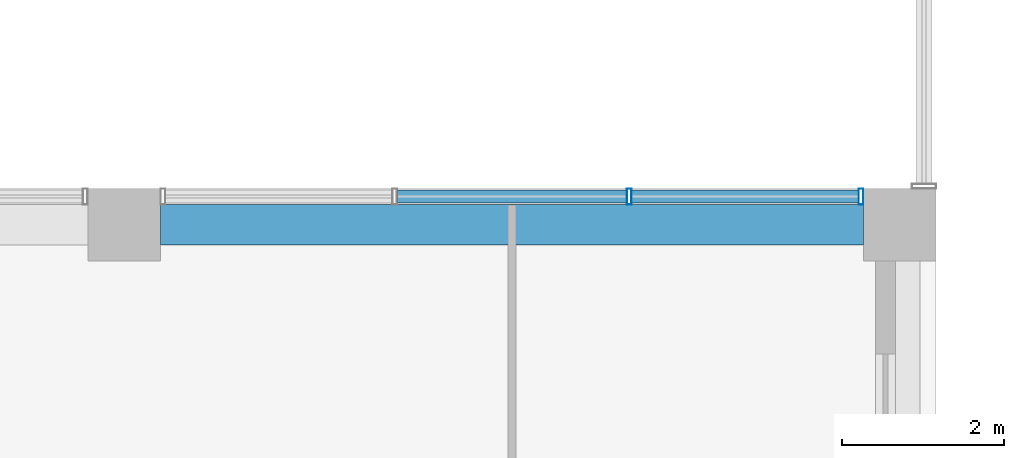
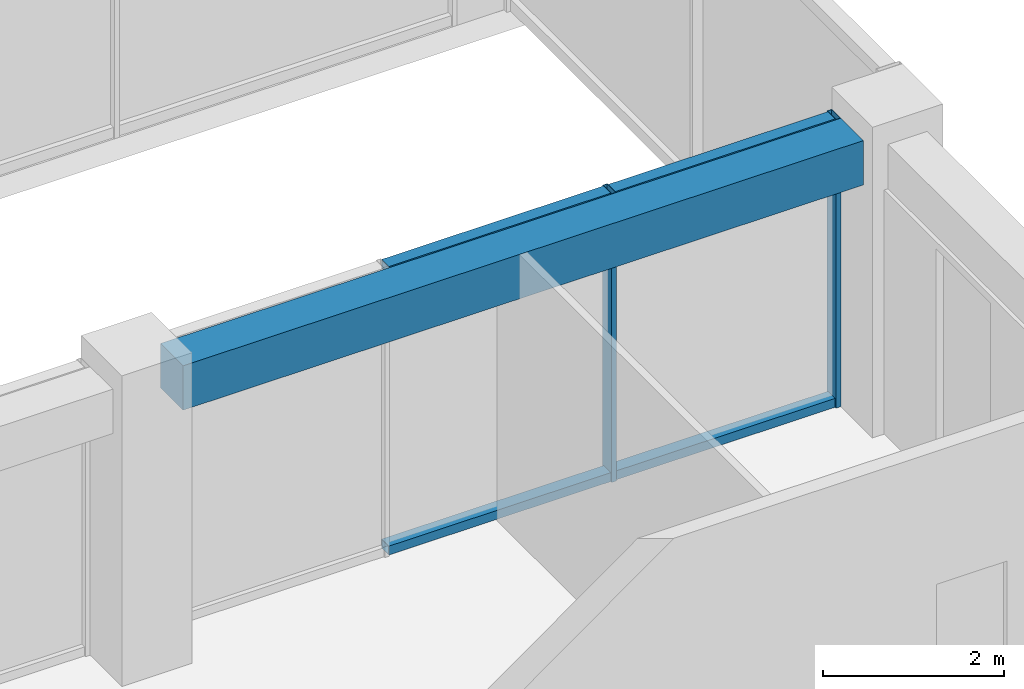
# One storey, part 17 of 36: 6 members, 1 beam, 1 element without a shape of its own.
"""IFC4 building model written with IfcOpenShell, lengths in metres."""

from ifc_helpers import new_model, si_unit, direction, frame, origin, origin_2d, place, context, subcontext, project, spatial, rectangle, hollow_rectangle, extrude, material, layer, layer_set, material_profile, profile_set, type_object, element, aggregate, save


model = new_model("IFC4")

# Units and contexts
model_context = context("Model", 3, precision=1e-05, world=origin(), true_north=direction((0.0, 1.0)))
body_context = subcontext(model_context, "Body", "Model", "MODEL_VIEW")
ifc_project = project(units=[si_unit("LENGTHUNIT", "METRE"), si_unit("AREAUNIT", "SQUARE_METRE"), si_unit("VOLUMEUNIT", "CUBIC_METRE"), si_unit("PLANEANGLEUNIT", "RADIAN"), si_unit("MASSUNIT", "GRAM", prefix="KILO")], contexts=[model_context])

# Site, building, storey
site_placement = place(None, origin())
site = spatial("IfcSite", under=ifc_project, at=site_placement, CompositionType="ELEMENT")
building_placement = place(site_placement, origin())
building = spatial("IfcBuilding", under=site, at=building_placement, Name="Nzadi Deep Aquarium and Research Tower", CompositionType="ELEMENT")
storey_placement = place(building_placement, frame((0.0, 0.0, 44.5)))
storey = spatial("IfcBuildingStorey", under=building, at=storey_placement, Name="L08", CompositionType="ELEMENT", Elevation=44.5)

# Curtain wall, members
ifc_material_1 = material(Name="Aluminium unitised frame", Category="aluminium")
ifc_layer = layer(ifc_material_1, 0.199951171875)
ifc_layer_set = layer_set([ifc_layer], Name="Aluminium unitised frame")
curtain_wall_type = type_object("IfcCurtainWallType", Name="Curtain wall Unitised 200", PredefinedType="NOTDEFINED", material=ifc_layer_set)
curtain_wall_placement = place(storey_placement, origin())
curtain_wall = element("IfcCurtainWall", 1, at=curtain_wall_placement, inside=storey, type_object=curtain_wall_type, Name="Unitised curtain wall blade A north L08", PredefinedType="NOTDEFINED")
ifc_material_2 = material(Name="Aluminium unitised frame", Category="aluminium")
ifc_material_profile_1 = material_profile(ifc_material_2, hollow_rectangle(XDim=0.199951171875, YDim=0.06005859375, WallThickness=0.0048828125, at=origin_2d()))
ifc_profile_set_1 = profile_set([ifc_material_profile_1], Name="Aluminium unitised frame")
member_type_1 = type_object("IfcMemberType", Name="Mullion 60x200 Unitised", PredefinedType="MULLION", material=ifc_profile_set_1)
member_1_placement = place(storey_placement, frame((44.64990234375, 18.75, 0.0), z_axis=(0.0, 0.0, 1.0), x_axis=(0.0, 1.0, 0.0)))
member_1 = element("IfcMember", 2, at=member_1_placement, type_object=member_type_1, Name="CW028 mullion 3", PredefinedType="MULLION", context=body_context, shape_type="SweptSolid", body=[
    extrude(hollow_rectangle(XDim=0.199951171875, YDim=0.06005859375, WallThickness=0.0048828125, at=origin_2d()), origin(), (0.0, 0.0, 1.0), 3.89990234375),
])
member_2_placement = place(storey_placement, frame((47.52001953125, 18.75, 0.0), z_axis=(0.0, 0.0, 1.0), x_axis=(0.0, 1.0, 0.0)))
member_2 = element("IfcMember", 3, at=member_2_placement, type_object=member_type_1, Name="CW028 mullion 4", PredefinedType="MULLION", context=body_context, shape_type="SweptSolid", body=[
    extrude(hollow_rectangle(XDim=0.199951171875, YDim=0.06005859375, WallThickness=0.0048828125, at=origin_2d()), origin(), (0.0, 0.0, 1.0), 3.89990234375),
])

# Beam
ifc_material_3 = material(Name="Concrete C35/45", Category="concrete")
ifc_material_profile_2 = material_profile(ifc_material_3, rectangle(XDim=0.5, YDim=0.60009765625, at=origin_2d()))
ifc_profile_set_2 = profile_set([ifc_material_profile_2], Name="Concrete C35/45")
beam_type = type_object("IfcBeamType", Name="RC 500x600", PredefinedType="BEAM", material=ifc_profile_set_2)
beam_placement = place(storey_placement, frame((38.85009765625, 18.39990234375, 3.60009765625), z_axis=(1.0, 0.0, 0.0), x_axis=(0.0, 1.0, 0.0)))
element("IfcBeam", 4, at=beam_placement, inside=storey, type_object=beam_type, Name="B-Z1-L08-L3-5", PredefinedType="BEAM", context=body_context, shape_type="SweptSolid", body=[
    extrude(rectangle(XDim=0.5, YDim=0.60009765625, at=origin_2d()), origin(), (0.0, 0.0, 1.0), 8.699951171875),
])

# Member
ifc_material_4 = material(Name="Aluminium unitised frame", Category="aluminium")
ifc_material_profile_3 = material_profile(ifc_material_4, hollow_rectangle(XDim=0.159912109375, YDim=0.1201171875, WallThickness=0.0048828125, at=origin_2d()))
ifc_profile_set_3 = profile_set([ifc_material_profile_3], Name="Aluminium unitised frame")
member_type_2 = type_object("IfcMemberType", Name="Transom 120x160 Unitised", PredefinedType="MULLION", material=ifc_profile_set_3)
member_3_placement = place(storey_placement, frame((41.780029296875, 18.75, 0.06005859375), z_axis=(1.0, 0.0, 0.0), x_axis=(0.0, 1.0, 0.0)))
member_3 = element("IfcMember", 5, at=member_3_placement, type_object=member_type_2, Name="CW028 transom 2.1", PredefinedType="MULLION", context=body_context, shape_type="SweptSolid", body=[
    extrude(hollow_rectangle(XDim=0.159912109375, YDim=0.1201171875, WallThickness=0.0048828125, at=origin_2d()), origin(), (0.0, 0.0, 1.0), 2.840087890625),
])

member_4_placement = place(storey_placement, frame((41.780029296875, 18.75, 3.840087890625), z_axis=(1.0, 0.0, 0.0), x_axis=(0.0, 1.0, 0.0)))
member_4 = element("IfcMember", 6, at=member_4_placement, type_object=member_type_2, Name="CW028 transom 2.2", PredefinedType="MULLION", context=body_context, shape_type="SweptSolid", body=[
    extrude(hollow_rectangle(XDim=0.159912109375, YDim=0.1201171875, WallThickness=0.0048828125, at=origin_2d()), origin(), (0.0, 0.0, 1.0), 2.840087890625),
])

member_5_placement = place(storey_placement, frame((44.679931640625, 18.75, 0.06005859375), z_axis=(1.0, 0.0, 0.0), x_axis=(0.0, 1.0, 0.0)))
member_5 = element("IfcMember", 7, at=member_5_placement, type_object=member_type_2, Name="CW028 transom 3.1", PredefinedType="MULLION", context=body_context, shape_type="SweptSolid", body=[
    extrude(hollow_rectangle(XDim=0.159912109375, YDim=0.1201171875, WallThickness=0.0048828125, at=origin_2d()), origin(), (0.0, 0.0, 1.0), 2.81005859375),
])

member_6_placement = place(storey_placement, frame((44.679931640625, 18.75, 3.840087890625), z_axis=(1.0, 0.0, 0.0), x_axis=(0.0, 1.0, 0.0)))
member_6 = element("IfcMember", 8, at=member_6_placement, type_object=member_type_2, Name="CW028 transom 3.2", PredefinedType="MULLION", context=body_context, shape_type="SweptSolid", body=[
    extrude(hollow_rectangle(XDim=0.159912109375, YDim=0.1201171875, WallThickness=0.0048828125, at=origin_2d()), origin(), (0.0, 0.0, 1.0), 2.81005859375),
])

aggregate(curtain_wall, [member_1, member_2, member_3, member_4, member_5, member_6])

save(model, "model.ifc")
